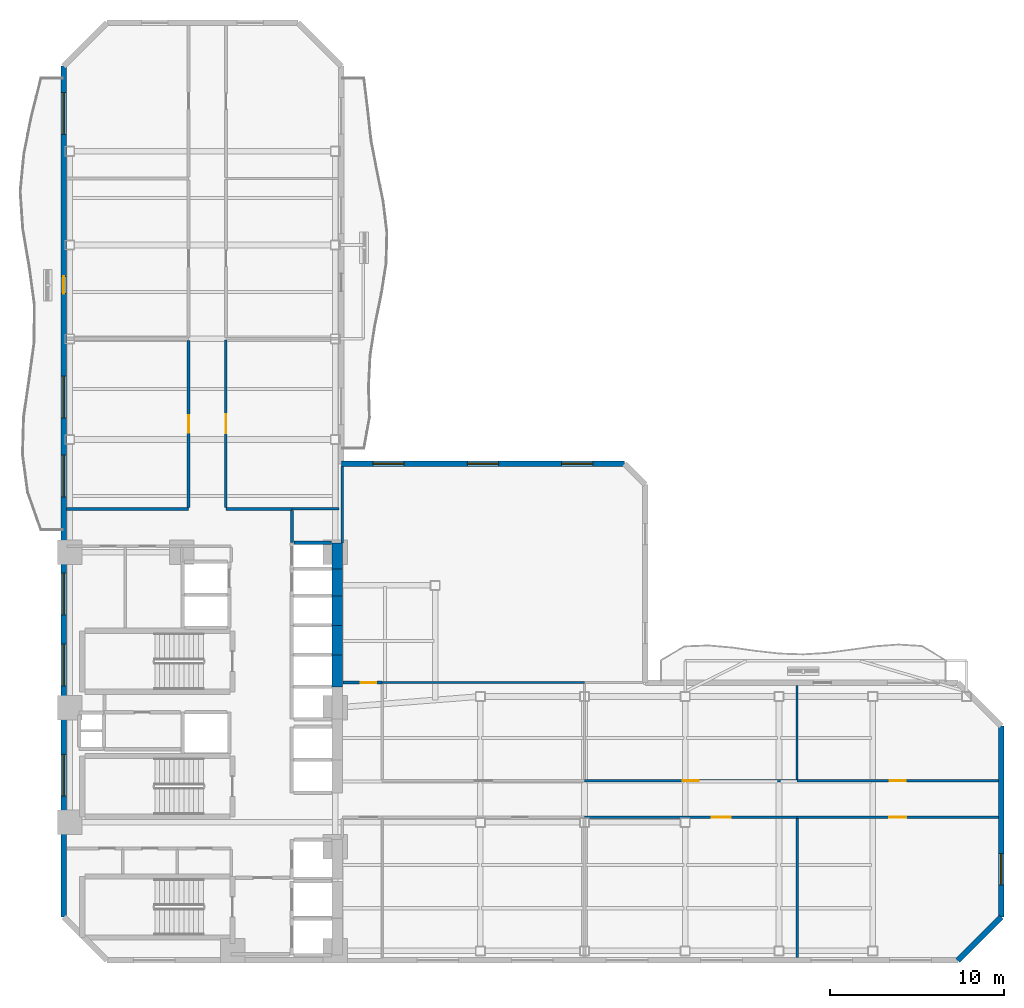
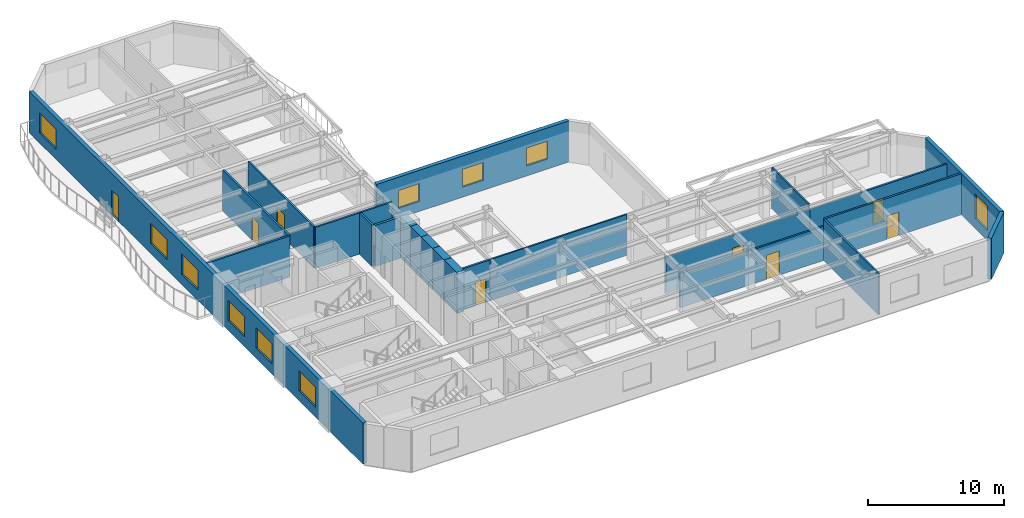
# One storey, part 5 of 10: 25 walls, 10 windows, 8 doors, 18 openings.
"""IFC4 building model written with IfcOpenShell, lengths in metres."""

import ifcopenshell
import ifcopenshell.guid

model = None  # the IFC model being written
_history = None  # IfcOwnerHistory: only IFC2X3 demands one
_inside = {}  # id of a spatial element -> (the spatial element, [elements in it])
_under = {}  # id of a project, library or spatial element -> (it, [spatial elements below it])
_declared = {}  # id of a project -> (the project, [libraries it declares])
_typed = {}  # id of a type object -> (the type object, [elements of that type])
_made_of = {}  # id of a material, layer set ... -> (it, [elements and type objects made of it])


def new_model(schema):
    """Start an empty IFC model of exactly this schema.

    Asked for "IFC4X3", IfcOpenShell would pick the latest addendum, in which some entities
    have other attributes; the version numbers below select the first issue.
    IFC2X3 requires an IfcOwnerHistory on every rooted entity: one is made here for all.
    """
    global model, _history
    if schema == "IFC4X3":
        model = ifcopenshell.file(schema_version=(4, 3, 0, 0))
    else:
        model = ifcopenshell.file(schema=schema)
    _inside.clear()
    _under.clear()
    _declared.clear()
    _typed.clear()
    _made_of.clear()
    _history = None
    if model.schema == "IFC2X3":
        org = make("IfcOrganization", Name="unknown")
        user = make(
            "IfcPersonAndOrganization",
            ThePerson=make("IfcPerson", FamilyName="unknown"),
            TheOrganization=org,
        )
        app = make(
            "IfcApplication",
            ApplicationDeveloper=org,
            Version="unknown",
            ApplicationFullName="unknown",
            ApplicationIdentifier="unknown",
        )
        _history = make(
            "IfcOwnerHistory",
            OwningUser=user,
            OwningApplication=app,
            ChangeAction="ADDED",
            CreationDate=0,
        )
    return model


def make(cls, **values):
    """One entity of the class cls with the attributes given. An attribute that is None is left unset."""
    return model.create_entity(
        cls, **{name: value for name, value in values.items() if value is not None}
    )


def rooted(cls, **values):
    """An entity with a GlobalId (a new one), such as an element, a storey or a relation."""
    return make(cls, GlobalId=ifcopenshell.guid.new(), OwnerHistory=_history, **values)


def si_unit(unit_type, name, prefix=None):
    """IfcSIUnit, for example si_unit("LENGTHUNIT", "METRE", prefix="MILLI")."""
    return make("IfcSIUnit", UnitType=unit_type, Prefix=prefix, Name=name)


def assignment(units):
    """IfcUnitAssignment: the units of a project."""
    return None if units is None else make("IfcUnitAssignment", Units=units)


def point(xyz):
    """IfcCartesianPoint."""
    return None if xyz is None else make("IfcCartesianPoint", Coordinates=xyz)


def direction(xyz):
    """IfcDirection."""
    return None if xyz is None else make("IfcDirection", DirectionRatios=xyz)


def frame(location, z_axis=None, x_axis=None):
    """IfcAxis2Placement3D, a coordinate frame: its origin and axes. An axis left out is left unset."""
    return make(
        "IfcAxis2Placement3D",
        Location=point(location),
        Axis=direction(z_axis),
        RefDirection=direction(x_axis),
    )


def frame_2d(location, x_axis=None):
    """IfcAxis2Placement2D, a coordinate frame in the plane: its origin and x axis."""
    return make(
        "IfcAxis2Placement2D", Location=point(location), RefDirection=direction(x_axis)
    )


def origin():
    """The frame at (0, 0, 0) with its axes left unset."""
    return frame((0.0, 0.0, 0.0))


def place(relative_to, where):
    """IfcLocalPlacement: puts the frame where relative to a parent placement (None: the world)."""
    return make(
        "IfcLocalPlacement", PlacementRelTo=relative_to, RelativePlacement=where
    )


def context(
    kind, dimensions, precision=None, world=None, true_north=None, identifier=None
):
    """IfcGeometricRepresentationContext, for example the 3D "Model" context."""
    return make(
        "IfcGeometricRepresentationContext",
        ContextIdentifier=identifier,
        ContextType=kind,
        CoordinateSpaceDimension=dimensions,
        Precision=precision,
        WorldCoordinateSystem=world,
        TrueNorth=true_north,
    )


def subcontext(parent, identifier, kind, view, scale=None):
    """IfcGeometricRepresentationSubContext, for example "Body" below "Model"."""
    return make(
        "IfcGeometricRepresentationSubContext",
        ContextIdentifier=identifier,
        ContextType=kind,
        ParentContext=parent,
        TargetScale=scale,
        TargetView=view,
    )


def project(units=None, contexts=None):
    """IfcProject with its units and contexts."""
    return rooted(
        "IfcProject",
        Name="project",
        RepresentationContexts=contexts,
        UnitsInContext=assignment(units),
    )


def spatial(cls, under=None, at=None, **own):
    """A site, building, storey or space (cls), placed at a placement, below another one or the project."""
    s = rooted(cls, ObjectPlacement=at, **own)
    if under is not None:
        _under.setdefault(under.id(), (under, []))[1].append(s)
    return s


def profile(cls, at=None, kind="AREA", **sizes):
    """A parametric profile (cls). Its sizes go by their IFC names, for example OverallWidth=200.0."""
    return make(cls, ProfileType=kind, Position=at, **sizes)


def rectangle(**sizes):
    """IfcRectangleProfileDef."""
    return profile("IfcRectangleProfileDef", **sizes)


def extrude(swept, where, along, depth):
    """IfcExtrudedAreaSolid: the profile swept, set in the frame where, extruded along a direction by depth."""
    return make(
        "IfcExtrudedAreaSolid",
        SweptArea=swept,
        Position=where,
        ExtrudedDirection=direction(along),
        Depth=depth,
    )


def shape(context_of_items, identifier, shape_type, items):
    """IfcShapeRepresentation: the items that make up one representation, for example the "Body"."""
    return make(
        "IfcShapeRepresentation",
        ContextOfItems=context_of_items,
        RepresentationIdentifier=identifier,
        RepresentationType=shape_type,
        Items=items,
    )


def material(Name=None, Category=None):
    """IfcMaterial."""
    return make("IfcMaterial", Name=Name, Category=Category)


def layer(
    of_material, thickness, ventilated=None, Name=None, Category=None, Priority=None
):
    """IfcMaterialLayer: one layer of a wall or slab, of a material (None: an air gap)."""
    return make(
        "IfcMaterialLayer",
        Material=of_material,
        LayerThickness=thickness,
        IsVentilated=ventilated,
        Name=Name,
        Category=Category,
        Priority=Priority,
    )


def layer_set(layers, Name=None):
    """IfcMaterialLayerSet."""
    return make("IfcMaterialLayerSet", MaterialLayers=layers, LayerSetName=Name)


def made_of(thing, what):
    """Note that an element or type object is made of a material, layer set ...; save() writes the relation."""
    if what is not None:
        _made_of.setdefault(what.id(), (what, []))[1].append(thing)
    return thing


def type_object(cls, material=None, **own):
    """A type object (cls), such as IfcWallType, which elements share."""
    return made_of(rooted(cls, **own), material)


def element(
    cls,
    number,
    at=None,
    inside=None,
    cuts=None,
    type_object=None,
    material=None,
    context=None,
    identifier="Body",
    shape_type=None,
    held_by="IfcProductDefinitionShape",
    body=None,
    shapes=None,
    **own,
):
    """One element of the class cls, such as IfcWall. Its Tag is "e" and its number.

    at: its placement. inside: the storey or other place that contains it. cuts: it is an
    opening in that element (IfcRelVoidsElement). A single representation is given by context,
    identifier, shape_type and body (its items); several are given by shapes. held_by: the class
    of the entity that holds the representations. save() writes the other relations.
    """
    e = rooted(cls, Tag="e%d" % number, ObjectPlacement=at, **own)
    if body is not None:
        shapes = [shape(context, identifier, shape_type, body)]
    if shapes is not None:
        e.Representation = make(held_by, Representations=shapes)
    if inside is not None:
        _inside.setdefault(inside.id(), (inside, []))[1].append(e)
    if cuts is not None:
        rooted(
            "IfcRelVoidsElement", RelatingBuildingElement=cuts, RelatedOpeningElement=e
        )
    if type_object is not None:
        _typed.setdefault(type_object.id(), (type_object, []))[1].append(e)
    return made_of(e, material)


def fill(opening, filler):
    """IfcRelFillsElement: the door or window that sits in an opening."""
    return rooted(
        "IfcRelFillsElement",
        RelatingOpeningElement=opening,
        RelatedBuildingElement=filler,
    )


def aggregate(whole, parts):
    """IfcRelAggregates: a whole, such as a stair, and the parts it consists of."""
    return rooted("IfcRelAggregates", RelatingObject=whole, RelatedObjects=parts)


def save(model, path):
    """Write the relations noted so far, then the file.

    IfcRelAggregates (storeys below a building ...), IfcRelContainedInSpatialStructure (elements
    in a storey), IfcRelDefinesByType, IfcRelAssociatesMaterial and IfcRelDeclares: one each for
    every whole, place, type object, material and project.
    """
    for whole, parts in _under.values():
        aggregate(whole, parts)
    for where, things in _inside.values():
        rooted(
            "IfcRelContainedInSpatialStructure",
            RelatedElements=things,
            RelatingStructure=where,
        )
    for kind, things in _typed.values():
        rooted("IfcRelDefinesByType", RelatedObjects=things, RelatingType=kind)
    for what, things in _made_of.values():
        rooted("IfcRelAssociatesMaterial", RelatedObjects=things, RelatingMaterial=what)
    for by, libraries in _declared.values():
        rooted("IfcRelDeclares", RelatingContext=by, RelatedDefinitions=libraries)
    model.write(path)


model = new_model("IFC4")

# Units and contexts
model_context = context("Model", 3, precision=1e-05, world=origin(), true_north=direction((0.0, 1.0)))
body_context = subcontext(model_context, "Body", "Model", "MODEL_VIEW")
ifc_project = project(units=[si_unit("LENGTHUNIT", "METRE"), si_unit("AREAUNIT", "SQUARE_METRE"), si_unit("VOLUMEUNIT", "CUBIC_METRE"), si_unit("PLANEANGLEUNIT", "RADIAN"), si_unit("MASSUNIT", "GRAM", prefix="KILO")], contexts=[model_context])

# Site, building, storey
site_placement = place(None, origin())
site = spatial("IfcSite", under=ifc_project, at=site_placement, CompositionType="ELEMENT")
building_placement = place(site_placement, origin())
building = spatial("IfcBuilding", under=site, at=building_placement, Name="Mawjaban Terraces University", CompositionType="ELEMENT")
storey_placement = place(building_placement, frame((0.0, 0.0, 34.89990234375)))
storey = spatial("IfcBuildingStorey", under=building, at=storey_placement, Name="L07", CompositionType="ELEMENT", Elevation=34.89990234375)

# Walls
ifc_material_1 = material(Name="Concrete C70/85", Category="concrete")
ifc_layer_1 = layer(ifc_material_1, 0.60009765625)
ifc_layer_set_1 = layer_set([ifc_layer_1], Name="Concrete C70/85")
wall_type_1 = type_object("IfcWallType", Name="CoreShearWall_600", PredefinedType="SHEAR", material=ifc_layer_set_1)
wall_1_placement = place(storey_placement, frame((37.75, 15.75, 0.0), z_axis=(0.0, 0.0, 1.0), x_axis=(0.0, 1.0, 0.0)))
element("IfcWall", 1, at=wall_1_placement, inside=storey, type_object=wall_type_1, Name="L07 Lift OL-2 Hoistway Wall East", PredefinedType="SHEAR", context=body_context, shape_type="SweptSolid", body=[
    extrude(rectangle(XDim=1.85009765625, YDim=0.60009765625, at=frame_2d((0.925048828125, 0.0))), origin(), (0.0, 0.0, 1.0), 3.690185546875),
])
for number, where, z_axis, x_axis, name in (
    (2, (37.75, 17.60009765625, 0.0), (0.0, 0.0, 1.0), (0.0, 1.0, 0.0), "L07 Lift PL-M1 Hoistway Wall East"),
    (3, (37.75, 19.300048828125, 0.0), (0.0, 0.0, 1.0), (0.0, 1.0, 0.0), "L07 Lift PL-M2 Hoistway Wall East"),
):
    element("IfcWall", number, at=place(storey_placement, frame(where, z_axis=z_axis, x_axis=x_axis)), inside=storey, type_object=wall_type_1, Name=name, PredefinedType="SHEAR", context=body_context, shape_type="SweptSolid", body=[
        extrude(rectangle(XDim=1.699951171875, YDim=0.60009765625, at=frame_2d((0.85009765625, 0.0))), origin(), (0.0, 0.0, 1.0), 3.690185546875),
    ])
wall_2_placement = place(storey_placement, frame((37.75, 21.0, 0.0), z_axis=(0.0, 0.0, 1.0), x_axis=(0.0, 1.0, 0.0)))
element("IfcWall", 4, at=wall_2_placement, inside=storey, type_object=wall_type_1, Name="L07 Lift PL-L1 Hoistway Wall East", PredefinedType="SHEAR", context=body_context, shape_type="SweptSolid", body=[
    extrude(rectangle(XDim=1.550048828125, YDim=0.60009765625, at=frame_2d((0.77490234375, 0.0))), origin(), (0.0, 0.0, 1.0), 3.690185546875),
])
wall_3_placement = place(storey_placement, frame((37.75, 22.550048828125, 0.0), z_axis=(0.0, 0.0, 1.0), x_axis=(0.0, 1.0, 0.0)))
element("IfcWall", 5, at=wall_3_placement, inside=storey, type_object=wall_type_1, Name="L07 Lift PL-L2 Hoistway Wall East", PredefinedType="SHEAR", context=body_context, shape_type="SweptSolid", body=[
    extrude(rectangle(XDim=1.5, YDim=0.60009765625, at=frame_2d((0.75, 0.0))), origin(), (0.0, 0.0, 1.0), 3.690185546875),
])
ifc_material_2 = material(Name="Fire-rated gypsum board on steel stud", Category="steel")
ifc_layer_2 = layer(ifc_material_2, 0.159912109375)
ifc_layer_set_2 = layer_set([ifc_layer_2], Name="Fire-rated gypsum board on steel stud")
wall_type_2 = type_object("IfcWallType", Name="CorridorPartition_160", PredefinedType="PARTITIONING", material=ifc_layer_set_2)
wall_4_placement = place(storey_placement, frame((29.199951171875, 26.0, 0.0), z_axis=(0.0, 0.0, 1.0), x_axis=(-1.0, 0.0, 0.0)))
element("IfcWall", 6, at=wall_4_placement, inside=storey, type_object=wall_type_2, Name="L07 North Core Cross-Corridor Partition 9", PredefinedType="PARTITIONING", context=body_context, shape_type="SweptSolid", body=[
    extrude(rectangle(XDim=7.044921875, YDim=0.159912109375, at=frame_2d((3.5224609375, 0.0))), origin(), (0.0, 0.0, 1.0), 3.690185546875),
])
wall_5_placement = place(storey_placement, frame((35.14990234375, 26.0, 0.0), z_axis=(0.0, 0.0, 1.0), x_axis=(-1.0, 0.0, 0.0)))
element("IfcWall", 7, at=wall_5_placement, inside=storey, type_object=wall_type_2, Name="L07 North Core Cross-Corridor Partition 14", PredefinedType="PARTITIONING", context=body_context, shape_type="SweptSolid", body=[
    extrude(rectangle(XDim=3.7998046875, YDim=0.159912109375, at=frame_2d((1.89990234375, 0.0))), origin(), (0.0, 0.0, 1.0), 3.690185546875),
])

# Wall, opening, door
wall_6_placement = place(storey_placement, frame((40.35009765625, 16.0, 0.0), z_axis=(0.0, 0.0, 1.0), x_axis=(-1.0, 0.0, 0.0)))
wall_6 = element("IfcWall", 8, at=wall_6_placement, inside=storey, type_object=wall_type_2, Name="L07 East Academic Corridor Vestibule Partition 20", PredefinedType="PARTITIONING", context=body_context, shape_type="SweptSolid", body=[
    extrude(rectangle(XDim=2.27001953125, YDim=0.159912109375, at=frame_2d((1.135009765625, 0.0))), origin(), (0.0, 0.0, 1.0), 3.690185546875),
])
opening_1_placement = place(wall_6_placement, frame((0.3349609375, 0.0, 0.0)))
opening_1 = element("IfcOpeningElement", 9, at=opening_1_placement, cuts=wall_6, Name="Opening ID-090", PredefinedType="OPENING", context=body_context, shape_type="SweptSolid", body=[
    extrude(rectangle(XDim=0.89990234375, YDim=2.10009765625, at=frame_2d((0.449951171875, 1.050048828125))), frame((0.0, 0.08984375, 0.0), z_axis=(0.0, -1.0, 0.0), x_axis=(1.0, 0.0, 0.0)), (0.0, 0.0, 1.0), 0.179931640625),
])
ifc_material_3 = material(Name="Powder-coated steel frame and solid acoustic timber leaf", Category="steel")
door_type_1 = type_object("IfcDoorType", Name="OfficeDoor_900x2100", OperationType="NOTDEFINED", PredefinedType="DOOR", material=ifc_material_3)
door_1_placement = place(opening_1_placement, origin())
door_1 = element("IfcDoor", 10, at=door_1_placement, inside=storey, type_object=door_type_1, Name="L07 Terrace Collaborative Study Room Door", OperationType="SINGLE_SWING_LEFT", OverallHeight=2.10009765625, OverallWidth=0.89990234375, PredefinedType="DOOR", context=body_context, shape_type="SweptSolid", body=[
    extrude(rectangle(XDim=0.89990234375, YDim=2.10009765625, at=frame_2d((0.449951171875, 1.050048828125))), frame((0.0, 0.02490234375, 0.0), z_axis=(0.0, -1.0, 0.0), x_axis=(1.0, 0.0, 0.0)), (0.0, 0.0, 1.0), 0.050048828125),
])
fill(opening_1, door_1)

wall_7_placement = place(storey_placement, frame((64.239990234375, 8.25, 0.0), z_axis=(0.0, 0.0, 1.0), x_axis=(1.0, 0.0, 0.0)))
wall_7 = element("IfcWall", 11, at=wall_7_placement, inside=storey, type_object=wall_type_2, Name="L07 East Academic Spine Corridor Partition 25", PredefinedType="PARTITIONING", context=body_context, shape_type="SweptSolid", body=[
    extrude(rectangle(XDim=11.60498046875, YDim=0.159912109375, at=frame_2d((5.802490234375, 0.0))), origin(), (0.0, 0.0, 1.0), 3.690185546875),
])
opening_2_placement = place(wall_7_placement, frame((5.302978515625, 0.0, 0.0)))
opening_2 = element("IfcOpeningElement", 12, at=opening_2_placement, cuts=wall_7, Name="Opening ID-100", PredefinedType="OPENING", context=body_context, shape_type="SweptSolid", body=[
    extrude(rectangle(XDim=1.0, YDim=2.10009765625, at=frame_2d((0.5, 1.050048828125))), frame((0.0, 0.08984375, 0.0), z_axis=(0.0, -1.0, 0.0), x_axis=(1.0, 0.0, 0.0)), (0.0, 0.0, 1.0), 0.179931640625),
])
door_type_2 = type_object("IfcDoorType", Name="ClassroomDoor_1000x2100", OperationType="NOTDEFINED", PredefinedType="DOOR", material=ifc_material_3)
door_2_placement = place(opening_2_placement, origin())
door_2 = element("IfcDoor", 13, at=door_2_placement, inside=storey, type_object=door_type_2, Name="L07 Classroom 6 Door", OperationType="SINGLE_SWING_LEFT", OverallHeight=2.10009765625, OverallWidth=1.0, PredefinedType="DOOR", context=body_context, shape_type="SweptSolid", body=[
    extrude(rectangle(XDim=1.0, YDim=2.10009765625, at=frame_2d((0.5, 1.050048828125))), frame((0.0, 0.02490234375, 0.0), z_axis=(0.0, -1.0, 0.0), x_axis=(1.0, 0.0, 0.0)), (0.0, 0.0, 1.0), 0.050048828125),
])
fill(opening_2, door_2)

wall_8_placement = place(storey_placement, frame((64.239990234375, 10.35009765625, 0.0), z_axis=(0.0, 0.0, 1.0), x_axis=(-1.0, 0.0, 0.0)))
wall_8 = element("IfcWall", 14, at=wall_8_placement, inside=storey, type_object=wall_type_2, Name="L07 East Academic Spine Corridor Partition 26", PredefinedType="PARTITIONING", context=body_context, shape_type="SweptSolid", body=[
    extrude(rectangle(XDim=12.239990234375, YDim=0.159912109375, at=frame_2d((6.1201171875, 0.0))), origin(), (0.0, 0.0, 1.0), 3.277099609375),
])
opening_3_placement = place(wall_8_placement, frame((5.669921875, 0.0, 0.0)))
opening_3 = element("IfcOpeningElement", 15, at=opening_3_placement, cuts=wall_8, Name="Opening ID-090", PredefinedType="OPENING", context=body_context, shape_type="SweptSolid", body=[
    extrude(rectangle(XDim=0.89990234375, YDim=2.10009765625, at=frame_2d((0.449951171875, 1.050048828125))), frame((0.0, 0.08984375, 0.0), z_axis=(0.0, -1.0, 0.0), x_axis=(1.0, 0.0, 0.0)), (0.0, 0.0, 1.0), 0.179931640625),
])
door_3_placement = place(opening_3_placement, origin())
door_3 = element("IfcDoor", 16, at=door_3_placement, inside=storey, type_object=door_type_1, Name="L07 Seminar Room 5 Door", OperationType="SINGLE_SWING_RIGHT", OverallHeight=2.10009765625, OverallWidth=0.89990234375, PredefinedType="DOOR", context=body_context, shape_type="SweptSolid", body=[
    extrude(rectangle(XDim=0.89990234375, YDim=2.10009765625, at=frame_2d((0.449951171875, 1.050048828125))), frame((0.0, 0.02490234375, 0.0), z_axis=(0.0, -1.0, 0.0), x_axis=(1.0, 0.0, 0.0)), (0.0, 0.0, 1.0), 0.050048828125),
])
fill(opening_3, door_3)

wall_9_placement = place(storey_placement, frame((75.844970703125, 10.35009765625, 0.0), z_axis=(0.0, 0.0, 1.0), x_axis=(-1.0, 0.0, 0.0)))
wall_9 = element("IfcWall", 17, at=wall_9_placement, inside=storey, type_object=wall_type_2, Name="L07 East Academic Spine Corridor Partition 27", PredefinedType="PARTITIONING", context=body_context, shape_type="SweptSolid", body=[
    extrude(rectangle(XDim=11.60498046875, YDim=0.159912109375, at=frame_2d((5.802490234375, 0.0))), origin(), (0.0, 0.0, 1.0), 3.277099609375),
])
opening_4_placement = place(wall_9_placement, frame((5.35302734375, 0.0, 0.0)))
opening_4 = element("IfcOpeningElement", 18, at=opening_4_placement, cuts=wall_9, Name="Opening ID-090", PredefinedType="OPENING", context=body_context, shape_type="SweptSolid", body=[
    extrude(rectangle(XDim=0.89990234375, YDim=2.10009765625, at=frame_2d((0.449951171875, 1.050048828125))), frame((0.0, 0.08984375, 0.0), z_axis=(0.0, -1.0, 0.0), x_axis=(1.0, 0.0, 0.0)), (0.0, 0.0, 1.0), 0.179931640625),
])
door_4_placement = place(opening_4_placement, origin())
door_4 = element("IfcDoor", 19, at=door_4_placement, inside=storey, type_object=door_type_1, Name="L07 Faculty Office 7 Door", OperationType="SINGLE_SWING_RIGHT", OverallHeight=2.10009765625, OverallWidth=0.89990234375, PredefinedType="DOOR", context=body_context, shape_type="SweptSolid", body=[
    extrude(rectangle(XDim=0.89990234375, YDim=2.10009765625, at=frame_2d((0.449951171875, 1.050048828125))), frame((0.0, 0.02490234375, 0.0), z_axis=(0.0, -1.0, 0.0), x_axis=(1.0, 0.0, 0.0)), (0.0, 0.0, 1.0), 0.050048828125),
])
fill(opening_4, door_4)

wall_10_placement = place(storey_placement, frame((29.199951171875, 35.715087890625, 0.0), z_axis=(0.0, 0.0, 1.0), x_axis=(0.0, -1.0, 0.0)))
wall_10 = element("IfcWall", 20, at=wall_10_placement, inside=storey, type_object=wall_type_2, Name="L07 North Academic Spine Corridor Partition 33", PredefinedType="PARTITIONING", context=body_context, shape_type="SweptSolid", body=[
    extrude(rectangle(XDim=9.64013671875, YDim=0.159912109375, at=frame_2d((4.820068359375, 0.0))), origin(), (0.0, 0.0, 1.0), 3.690185546875),
])
opening_5_placement = place(wall_10_placement, frame((4.320068359375, 0.0, 0.0)))
opening_5 = element("IfcOpeningElement", 21, at=opening_5_placement, cuts=wall_10, Name="Opening ID-100", PredefinedType="OPENING", context=body_context, shape_type="SweptSolid", body=[
    extrude(rectangle(XDim=1.0, YDim=2.10009765625, at=frame_2d((0.5, 1.050048828125))), frame((0.0, 0.08984375, 0.0), z_axis=(0.0, -1.0, 0.0), x_axis=(1.0, 0.0, 0.0)), (0.0, 0.0, 1.0), 0.179931640625),
])
door_5_placement = place(opening_5_placement, origin())
door_5 = element("IfcDoor", 22, at=door_5_placement, inside=storey, type_object=door_type_2, Name="L07 Classroom 8 Door", OperationType="SINGLE_SWING_LEFT", OverallHeight=2.10009765625, OverallWidth=1.0, PredefinedType="DOOR", context=body_context, shape_type="SweptSolid", body=[
    extrude(rectangle(XDim=1.0, YDim=2.10009765625, at=frame_2d((0.5, 1.050048828125))), frame((0.0, 0.02490234375, 0.0), z_axis=(0.0, -1.0, 0.0), x_axis=(1.0, 0.0, 0.0)), (0.0, 0.0, 1.0), 0.050048828125),
])
fill(opening_5, door_5)

# Walls
wall_11_placement = place(storey_placement, frame((35.14990234375, 24.070068359375, 0.0), z_axis=(0.0, 0.0, 1.0), x_axis=(0.0, 1.0, 0.0)))
element("IfcWall", 23, at=wall_11_placement, inside=storey, type_object=wall_type_2, Name="L07 North Core Cross-Corridor Partition 41", PredefinedType="PARTITIONING", context=body_context, shape_type="SweptSolid", body=[
    extrude(rectangle(XDim=1.85498046875, YDim=0.159912109375, at=frame_2d((0.927490234375, 0.0))), origin(), (0.0, 0.0, 1.0), 3.690185546875),
])
ifc_material_4 = material(Name="Insulated terracotta rainscreen on concrete backup C40/50", Category="masonry")
ifc_layer_3 = layer(ifc_material_4, 0.320068359375)
ifc_layer_set_3 = layer_set([ifc_layer_3], Name="Insulated terracotta rainscreen on concrete backup C40/50")
wall_type_3 = type_object("IfcWallType", Name="ExtTerracottaWall_320", PredefinedType="SOLIDWALL", material=ifc_layer_set_3)
wall_12_placement = place(storey_placement, frame((73.5, 0.0, 0.0), z_axis=(0.0, 0.0, 1.0), x_axis=(0.707106781187, 0.707106781187, 0.0)))
element("IfcWall", 24, at=wall_12_placement, inside=storey, type_object=wall_type_3, Name="L07 Exterior Terracotta Wall 2", PredefinedType="SOLIDWALL", context=body_context, shape_type="SweptSolid", body=[
    extrude(rectangle(XDim=3.53564453125, YDim=0.320068359375, at=frame_2d((1.767822265625, 0.0))), origin(), (0.0, 0.0, 1.0), 3.690185546875),
])

# Wall, opening, window
wall_13_placement = place(storey_placement, frame((76.0, 2.5, 0.0), z_axis=(0.0, 0.0, 1.0), x_axis=(0.0, 1.0, 0.0)))
wall_13 = element("IfcWall", 25, at=wall_13_placement, inside=storey, type_object=wall_type_3, Name="L07 Exterior Terracotta Wall 3", PredefinedType="SOLIDWALL", context=body_context, shape_type="SweptSolid", body=[
    extrude(rectangle(XDim=11.0, YDim=0.320068359375, at=frame_2d((5.5, 0.0))), origin(), (0.0, 0.0, 1.0), 3.690185546875),
])
opening_6_placement = place(wall_13_placement, frame((1.85009765625, 0.0, 0.89990234375)))
opening_6 = element("IfcOpeningElement", 26, at=opening_6_placement, cuts=wall_13, Name="Opening W-10", PredefinedType="OPENING", context=body_context, shape_type="SweptSolid", body=[
    extrude(rectangle(XDim=1.800048828125, YDim=2.199951171875, at=frame_2d((0.89990234375, 1.10009765625))), frame((0.0, 0.169921875, 0.0), z_axis=(0.0, -1.0, 0.0), x_axis=(1.0, 0.0, 0.0)), (0.0, 0.0, 1.0), 0.340087890625),
])
ifc_material_5 = material(Name="Low-E solar-control double glazing in thermally broken aluminium frame", Category="aluminium")
window_type_1 = type_object("IfcWindowType", Name="Win_1800x2200", PartitioningType="SINGLE_PANEL", PredefinedType="WINDOW", material=ifc_material_5)
window_1_placement = place(opening_6_placement, origin())
window_1 = element("IfcWindow", 27, at=window_1_placement, inside=storey, type_object=window_type_1, Name="L07 Facade Window 3.1", OverallHeight=2.199951171875, OverallWidth=1.800048828125, PartitioningType="SINGLE_PANEL", PredefinedType="WINDOW", context=body_context, shape_type="SweptSolid", body=[
    extrude(rectangle(XDim=1.800048828125, YDim=2.199951171875, at=frame_2d((0.89990234375, 1.10009765625))), frame((0.0, 0.030029296875, 0.0), z_axis=(0.0, -1.0, 0.0), x_axis=(1.0, 0.0, 0.0)), (0.0, 0.0, 1.0), 0.06005859375),
])
fill(opening_6, window_1)

# Wall, openings, windows
wall_14_placement = place(storey_placement, frame((54.300048828125, 28.60009765625, 0.0), z_axis=(0.0, 0.0, 1.0), x_axis=(-1.0, 0.0, 0.0)))
wall_14 = element("IfcWall", 28, at=wall_14_placement, inside=storey, type_object=wall_type_3, Name="L07 Exterior Terracotta Wall 8", PredefinedType="SOLIDWALL", context=body_context, shape_type="SweptSolid", body=[
    extrude(rectangle(XDim=16.300048828125, YDim=0.320068359375, at=frame_2d((8.14990234375, 0.0))), origin(), (0.0, 0.0, 1.0), 3.690185546875),
])
opening_7_placement = place(wall_14_placement, frame((1.81689453125, 0.0, 0.89990234375)))
opening_7 = element("IfcOpeningElement", 29, at=opening_7_placement, cuts=wall_14, Name="Opening W-03", PredefinedType="OPENING", context=body_context, shape_type="SweptSolid", body=[
    extrude(rectangle(XDim=1.800048828125, YDim=1.60009765625, at=frame_2d((0.89990234375, 0.800048828125))), frame((0.0, 0.169921875, 0.0), z_axis=(0.0, -1.0, 0.0), x_axis=(1.0, 0.0, 0.0)), (0.0, 0.0, 1.0), 0.340087890625),
])
opening_8_placement = place(wall_14_placement, frame((7.25, 0.0, 0.89990234375)))
opening_8 = element("IfcOpeningElement", 30, at=opening_8_placement, cuts=wall_14, Name="Opening W-03", PredefinedType="OPENING", context=body_context, shape_type="SweptSolid", body=[
    extrude(rectangle(XDim=1.800048828125, YDim=1.60009765625, at=frame_2d((0.89990234375, 0.800048828125))), frame((0.0, 0.169921875, 0.0), z_axis=(0.0, -1.0, 0.0), x_axis=(1.0, 0.0, 0.0)), (0.0, 0.0, 1.0), 0.340087890625),
])
opening_9_placement = place(wall_14_placement, frame((12.68310546875, 0.0, 0.89990234375)))
opening_9 = element("IfcOpeningElement", 31, at=opening_9_placement, cuts=wall_14, Name="Opening W-03", PredefinedType="OPENING", context=body_context, shape_type="SweptSolid", body=[
    extrude(rectangle(XDim=1.800048828125, YDim=1.60009765625, at=frame_2d((0.89990234375, 0.800048828125))), frame((0.0, 0.169921875, 0.0), z_axis=(0.0, -1.0, 0.0), x_axis=(1.0, 0.0, 0.0)), (0.0, 0.0, 1.0), 0.340087890625),
])
window_type_2 = type_object("IfcWindowType", Name="Win_1800x1600", PartitioningType="SINGLE_PANEL", PredefinedType="WINDOW", material=ifc_material_5)
window_2_placement = place(opening_7_placement, origin())
window_2 = element("IfcWindow", 32, at=window_2_placement, inside=storey, type_object=window_type_2, Name="L07 Facade Window 8.1", OverallHeight=1.60009765625, OverallWidth=1.800048828125, PartitioningType="SINGLE_PANEL", PredefinedType="WINDOW", context=body_context, shape_type="SweptSolid", body=[
    extrude(rectangle(XDim=1.800048828125, YDim=1.60009765625, at=frame_2d((0.89990234375, 0.800048828125))), frame((0.0, 0.030029296875, 0.0), z_axis=(0.0, -1.0, 0.0), x_axis=(1.0, 0.0, 0.0)), (0.0, 0.0, 1.0), 0.06005859375),
])
fill(opening_7, window_2)
window_3_placement = place(opening_8_placement, origin())
window_3 = element("IfcWindow", 33, at=window_3_placement, inside=storey, type_object=window_type_2, Name="L07 Facade Window 8.2", OverallHeight=1.60009765625, OverallWidth=1.800048828125, PartitioningType="SINGLE_PANEL", PredefinedType="WINDOW", context=body_context, shape_type="SweptSolid", body=[
    extrude(rectangle(XDim=1.800048828125, YDim=1.60009765625, at=frame_2d((0.89990234375, 0.800048828125))), frame((0.0, 0.030029296875, 0.0), z_axis=(0.0, -1.0, 0.0), x_axis=(1.0, 0.0, 0.0)), (0.0, 0.0, 1.0), 0.06005859375),
])
fill(opening_8, window_3)
window_4_placement = place(opening_9_placement, origin())
window_4 = element("IfcWindow", 34, at=window_4_placement, inside=storey, type_object=window_type_2, Name="L07 Facade Window 8.3", OverallHeight=1.60009765625, OverallWidth=1.800048828125, PartitioningType="SINGLE_PANEL", PredefinedType="WINDOW", context=body_context, shape_type="SweptSolid", body=[
    extrude(rectangle(XDim=1.800048828125, YDim=1.60009765625, at=frame_2d((0.89990234375, 0.800048828125))), frame((0.0, 0.030029296875, 0.0), z_axis=(0.0, -1.0, 0.0), x_axis=(1.0, 0.0, 0.0)), (0.0, 0.0, 1.0), 0.06005859375),
])
fill(opening_9, window_4)

# Wall, openings, door, windows
wall_15_placement = place(storey_placement, frame((22.0, 51.5, 0.0), z_axis=(0.0, 0.0, 1.0), x_axis=(0.0, -1.0, 0.0)))
wall_15 = element("IfcWall", 35, at=wall_15_placement, inside=storey, type_object=wall_type_3, Name="L07 Exterior Terracotta Wall 13", PredefinedType="SOLIDWALL", context=body_context, shape_type="SweptSolid", body=[
    extrude(rectangle(XDim=49.0, YDim=0.320068359375, at=frame_2d((24.5, 0.0))), origin(), (0.0, 0.0, 1.0), 3.690185546875),
])
opening_10_placement = place(wall_15_placement, frame((12.10009765625, 0.0, 0.0)))
opening_10 = element("IfcOpeningElement", 36, at=opening_10_placement, cuts=wall_15, Name="Opening BD-100", PredefinedType="OPENING", context=body_context, shape_type="SweptSolid", body=[
    extrude(rectangle(XDim=1.0, YDim=2.199951171875, at=frame_2d((0.5, 1.10009765625))), frame((0.0, 0.169921875, 0.0), z_axis=(0.0, -1.0, 0.0), x_axis=(1.0, 0.0, 0.0)), (0.0, 0.0, 1.0), 0.340087890625),
])
opening_11_placement = place(wall_15_placement, frame((1.52197265625, 0.0, 0.89990234375)))
opening_11 = element("IfcOpeningElement", 37, at=opening_11_placement, cuts=wall_15, Name="Opening W-08", PredefinedType="OPENING", context=body_context, shape_type="SweptSolid", body=[
    extrude(rectangle(XDim=2.39990234375, YDim=1.800048828125, at=frame_2d((1.199951171875, 0.89990234375))), frame((0.0, 0.169921875, 0.0), z_axis=(0.0, -1.0, 0.0), x_axis=(1.0, 0.0, 0.0)), (0.0, 0.0, 1.0), 0.340087890625),
])
opening_12_placement = place(wall_15_placement, frame((17.85595703125, 0.0, 0.89990234375)))
opening_12 = element("IfcOpeningElement", 38, at=opening_12_placement, cuts=wall_15, Name="Opening W-08", PredefinedType="OPENING", context=body_context, shape_type="SweptSolid", body=[
    extrude(rectangle(XDim=2.39990234375, YDim=1.800048828125, at=frame_2d((1.199951171875, 0.89990234375))), frame((0.0, 0.169921875, 0.0), z_axis=(0.0, -1.0, 0.0), x_axis=(1.0, 0.0, 0.0)), (0.0, 0.0, 1.0), 0.340087890625),
])
opening_13_placement = place(wall_15_placement, frame((22.39990234375, 0.0, 0.89990234375)))
opening_13 = element("IfcOpeningElement", 39, at=opening_13_placement, cuts=wall_15, Name="Opening W-08", PredefinedType="OPENING", context=body_context, shape_type="SweptSolid", body=[
    extrude(rectangle(XDim=2.39990234375, YDim=1.800048828125, at=frame_2d((1.199951171875, 0.89990234375))), frame((0.0, 0.169921875, 0.0), z_axis=(0.0, -1.0, 0.0), x_axis=(1.0, 0.0, 0.0)), (0.0, 0.0, 1.0), 0.340087890625),
])
opening_14_placement = place(wall_15_placement, frame((29.194091796875, 0.0, 0.89990234375)))
opening_14 = element("IfcOpeningElement", 40, at=opening_14_placement, cuts=wall_15, Name="Opening W-08", PredefinedType="OPENING", context=body_context, shape_type="SweptSolid", body=[
    extrude(rectangle(XDim=2.39990234375, YDim=1.800048828125, at=frame_2d((1.199951171875, 0.89990234375))), frame((0.0, 0.169921875, 0.0), z_axis=(0.0, -1.0, 0.0), x_axis=(1.0, 0.0, 0.0)), (0.0, 0.0, 1.0), 0.340087890625),
])
opening_15_placement = place(wall_15_placement, frame((33.2890625, 0.0, 0.89990234375)))
opening_15 = element("IfcOpeningElement", 41, at=opening_15_placement, cuts=wall_15, Name="Opening W-08", PredefinedType="OPENING", context=body_context, shape_type="SweptSolid", body=[
    extrude(rectangle(XDim=2.39990234375, YDim=1.800048828125, at=frame_2d((1.199951171875, 0.89990234375))), frame((0.0, 0.169921875, 0.0), z_axis=(0.0, -1.0, 0.0), x_axis=(1.0, 0.0, 0.0)), (0.0, 0.0, 1.0), 0.340087890625),
])
opening_16_placement = place(wall_15_placement, frame((39.633056640625, 0.0, 0.89990234375)))
opening_16 = element("IfcOpeningElement", 42, at=opening_16_placement, cuts=wall_15, Name="Opening W-08", PredefinedType="OPENING", context=body_context, shape_type="SweptSolid", body=[
    extrude(rectangle(XDim=2.39990234375, YDim=1.800048828125, at=frame_2d((1.199951171875, 0.89990234375))), frame((0.0, 0.169921875, 0.0), z_axis=(0.0, -1.0, 0.0), x_axis=(1.0, 0.0, 0.0)), (0.0, 0.0, 1.0), 0.340087890625),
])
ifc_material_6 = material(Name="Thermally broken anodised aluminium and laminated safety glass", Category="aluminium")
door_type_3 = type_object("IfcDoorType", Name="BalconyGlazedDoor_1000x2200", OperationType="NOTDEFINED", PredefinedType="DOOR", material=ifc_material_6)
door_6_placement = place(opening_10_placement, origin())
door_6 = element("IfcDoor", 43, at=door_6_placement, inside=storey, type_object=door_type_3, Name="L07 Balcony Access Door west", OperationType="SINGLE_SWING_RIGHT", OverallHeight=2.199951171875, OverallWidth=1.0, PredefinedType="DOOR", context=body_context, shape_type="SweptSolid", body=[
    extrude(rectangle(XDim=1.0, YDim=2.199951171875, at=frame_2d((0.5, 1.10009765625))), frame((0.0, 0.02490234375, 0.0), z_axis=(0.0, -1.0, 0.0), x_axis=(1.0, 0.0, 0.0)), (0.0, 0.0, 1.0), 0.050048828125),
])
fill(opening_10, door_6)
window_type_3 = type_object("IfcWindowType", Name="Win_2400x1800", PartitioningType="SINGLE_PANEL", PredefinedType="WINDOW", material=ifc_material_5)
window_5_placement = place(opening_11_placement, origin())
window_5 = element("IfcWindow", 44, at=window_5_placement, inside=storey, type_object=window_type_3, Name="L07 Facade Window 13.1", OverallHeight=1.800048828125, OverallWidth=2.39990234375, PartitioningType="SINGLE_PANEL", PredefinedType="WINDOW", context=body_context, shape_type="SweptSolid", body=[
    extrude(rectangle(XDim=2.39990234375, YDim=1.800048828125, at=frame_2d((1.199951171875, 0.89990234375))), frame((0.0, 0.030029296875, 0.0), z_axis=(0.0, -1.0, 0.0), x_axis=(1.0, 0.0, 0.0)), (0.0, 0.0, 1.0), 0.06005859375),
])
fill(opening_11, window_5)
window_6_placement = place(opening_12_placement, origin())
window_6 = element("IfcWindow", 45, at=window_6_placement, inside=storey, type_object=window_type_3, Name="L07 Facade Window 13.4", OverallHeight=1.800048828125, OverallWidth=2.39990234375, PartitioningType="SINGLE_PANEL", PredefinedType="WINDOW", context=body_context, shape_type="SweptSolid", body=[
    extrude(rectangle(XDim=2.39990234375, YDim=1.800048828125, at=frame_2d((1.199951171875, 0.89990234375))), frame((0.0, 0.030029296875, 0.0), z_axis=(0.0, -1.0, 0.0), x_axis=(1.0, 0.0, 0.0)), (0.0, 0.0, 1.0), 0.06005859375),
])
fill(opening_12, window_6)
window_7_placement = place(opening_13_placement, origin())
window_7 = element("IfcWindow", 46, at=window_7_placement, inside=storey, type_object=window_type_3, Name="L07 Facade Window 13.5", OverallHeight=1.800048828125, OverallWidth=2.39990234375, PartitioningType="SINGLE_PANEL", PredefinedType="WINDOW", context=body_context, shape_type="SweptSolid", body=[
    extrude(rectangle(XDim=2.39990234375, YDim=1.800048828125, at=frame_2d((1.199951171875, 0.89990234375))), frame((0.0, 0.030029296875, 0.0), z_axis=(0.0, -1.0, 0.0), x_axis=(1.0, 0.0, 0.0)), (0.0, 0.0, 1.0), 0.06005859375),
])
fill(opening_13, window_7)
window_8_placement = place(opening_14_placement, origin())
window_8 = element("IfcWindow", 47, at=window_8_placement, inside=storey, type_object=window_type_3, Name="L07 Facade Window 13.6", OverallHeight=1.800048828125, OverallWidth=2.39990234375, PartitioningType="SINGLE_PANEL", PredefinedType="WINDOW", context=body_context, shape_type="SweptSolid", body=[
    extrude(rectangle(XDim=2.39990234375, YDim=1.800048828125, at=frame_2d((1.199951171875, 0.89990234375))), frame((0.0, 0.030029296875, 0.0), z_axis=(0.0, -1.0, 0.0), x_axis=(1.0, 0.0, 0.0)), (0.0, 0.0, 1.0), 0.06005859375),
])
fill(opening_14, window_8)
window_9_placement = place(opening_15_placement, origin())
window_9 = element("IfcWindow", 48, at=window_9_placement, inside=storey, type_object=window_type_3, Name="L07 Facade Window 13.7", OverallHeight=1.800048828125, OverallWidth=2.39990234375, PartitioningType="SINGLE_PANEL", PredefinedType="WINDOW", context=body_context, shape_type="SweptSolid", body=[
    extrude(rectangle(XDim=2.39990234375, YDim=1.800048828125, at=frame_2d((1.199951171875, 0.89990234375))), frame((0.0, 0.030029296875, 0.0), z_axis=(0.0, -1.0, 0.0), x_axis=(1.0, 0.0, 0.0)), (0.0, 0.0, 1.0), 0.06005859375),
])
fill(opening_15, window_9)
window_10_placement = place(opening_16_placement, origin())
window_10 = element("IfcWindow", 49, at=window_10_placement, inside=storey, type_object=window_type_3, Name="L07 Facade Window 13.8", OverallHeight=1.800048828125, OverallWidth=2.39990234375, PartitioningType="SINGLE_PANEL", PredefinedType="WINDOW", context=body_context, shape_type="SweptSolid", body=[
    extrude(rectangle(XDim=2.39990234375, YDim=1.800048828125, at=frame_2d((1.199951171875, 0.89990234375))), frame((0.0, 0.030029296875, 0.0), z_axis=(0.0, -1.0, 0.0), x_axis=(1.0, 0.0, 0.0)), (0.0, 0.0, 1.0), 0.06005859375),
])
fill(opening_16, window_10)

# Walls
ifc_material_7 = material(Name="Concrete C40/50", Category="concrete")
ifc_layer_4 = layer(ifc_material_7, 0.199951171875)
ifc_layer_set_4 = layer_set([ifc_layer_4], Name="Concrete C40/50")
wall_type_4 = type_object("IfcWallType", Name="FireLobbyWall_200", PredefinedType="SOLIDWALL", material=ifc_layer_set_4)
wall_16_placement = place(storey_placement, frame((37.419921875, 24.050048828125, 0.0), z_axis=(0.0, 0.0, 1.0), x_axis=(-1.0, 0.0, 0.0)))
element("IfcWall", 50, at=wall_16_placement, inside=storey, type_object=wall_type_4, Name="L07 Lift PL-L2 Hoistway Wall North", PredefinedType="SOLIDWALL", context=body_context, shape_type="SweptSolid", body=[
    extrude(rectangle(XDim=2.139892578125, YDim=0.199951171875, at=frame_2d((1.06982421875, 0.0))), origin(), (0.0, 0.0, 1.0), 3.690185546875),
])
ifc_material_8 = material(Name="Moisture-resistant gypsum board on steel stud", Category="steel")
ifc_layer_5 = layer(ifc_material_8, 0.14501953125)
ifc_layer_set_5 = layer_set([ifc_layer_5], Name="Moisture-resistant gypsum board on steel stud")
wall_type_5 = type_object("IfcWallType", Name="LabPartition_145", PredefinedType="PARTITIONING", material=ifc_layer_set_5)
wall_17_placement = place(storey_placement, frame((35.14990234375, 26.0, 0.0), z_axis=(0.0, 0.0, 1.0), x_axis=(1.0, 0.0, 0.0)))
element("IfcWall", 51, at=wall_17_placement, inside=storey, type_object=wall_type_5, Name="L07 Computational Laboratory 9 Partition 15", PredefinedType="PARTITIONING", context=body_context, shape_type="SweptSolid", body=[
    extrude(rectangle(XDim=2.7001953125, YDim=0.14501953125, at=frame_2d((1.35009765625, 0.0))), origin(), (0.0, 0.0, 1.0), 3.690185546875),
])

# Wall, opening, door
wall_18_placement = place(storey_placement, frame((52.0, 8.25, 0.0), z_axis=(0.0, 0.0, 1.0), x_axis=(1.0, 0.0, 0.0)))
wall_18 = element("IfcWall", 52, at=wall_18_placement, inside=storey, type_object=wall_type_5, Name="L07 East Academic Spine Corridor Partition 21", PredefinedType="PARTITIONING", context=body_context, shape_type="SweptSolid", body=[
    extrude(rectangle(XDim=12.239990234375, YDim=0.14501953125, at=frame_2d((6.1201171875, 0.0))), origin(), (0.0, 0.0, 1.0), 3.05517578125),
])
opening_17_placement = place(wall_18_placement, frame((7.320068359375, 0.0, 0.0)))
opening_17 = element("IfcOpeningElement", 53, at=opening_17_placement, cuts=wall_18, Name="Opening ID-110", PredefinedType="OPENING", context=body_context, shape_type="SweptSolid", body=[
    extrude(rectangle(XDim=1.10009765625, YDim=2.14990234375, at=frame_2d((0.550048828125, 1.074951171875))), frame((0.0, 0.08251953125, 0.0), z_axis=(0.0, -1.0, 0.0), x_axis=(1.0, 0.0, 0.0)), (0.0, 0.0, 1.0), 0.1650390625),
])
door_type_4 = type_object("IfcDoorType", Name="LabDoor_1100x2150", OperationType="NOTDEFINED", PredefinedType="DOOR", material=ifc_material_3)
door_7_placement = place(opening_17_placement, origin())
door_7 = element("IfcDoor", 54, at=door_7_placement, inside=storey, type_object=door_type_4, Name="L07 Teaching Laboratory 4 Door", OperationType="SINGLE_SWING_LEFT", OverallHeight=2.14990234375, OverallWidth=1.10009765625, PredefinedType="DOOR", context=body_context, shape_type="SweptSolid", body=[
    extrude(rectangle(XDim=1.10009765625, YDim=2.14990234375, at=frame_2d((0.550048828125, 1.074951171875))), frame((0.0, 0.02490234375, 0.0), z_axis=(0.0, -1.0, 0.0), x_axis=(1.0, 0.0, 0.0)), (0.0, 0.0, 1.0), 0.050048828125),
])
fill(opening_17, door_7)

wall_19_placement = place(storey_placement, frame((31.35009765625, 26.074951171875, 0.0), z_axis=(0.0, 0.0, 1.0), x_axis=(0.0, 1.0, 0.0)))
wall_19 = element("IfcWall", 55, at=wall_19_placement, inside=storey, type_object=wall_type_5, Name="L07 North Academic Spine Corridor Partition 36", PredefinedType="PARTITIONING", context=body_context, shape_type="SweptSolid", body=[
    extrude(rectangle(XDim=9.656982421875, YDim=0.14501953125, at=frame_2d((4.82861328125, 0.0))), origin(), (0.0, 0.0, 1.0), 3.690185546875),
])
opening_18_placement = place(wall_19_placement, frame((4.279052734375, 0.0, 0.0)))
opening_18 = element("IfcOpeningElement", 56, at=opening_18_placement, cuts=wall_19, Name="Opening ID-110", PredefinedType="OPENING", context=body_context, shape_type="SweptSolid", body=[
    extrude(rectangle(XDim=1.10009765625, YDim=2.14990234375, at=frame_2d((0.550048828125, 1.074951171875))), frame((0.0, 0.08251953125, 0.0), z_axis=(0.0, -1.0, 0.0), x_axis=(1.0, 0.0, 0.0)), (0.0, 0.0, 1.0), 0.1650390625),
])
door_8_placement = place(opening_18_placement, origin())
door_8 = element("IfcDoor", 57, at=door_8_placement, inside=storey, type_object=door_type_4, Name="L07 Computational Laboratory 9 Door", OperationType="SINGLE_SWING_RIGHT", OverallHeight=2.14990234375, OverallWidth=1.10009765625, PredefinedType="DOOR", context=body_context, shape_type="SweptSolid", body=[
    extrude(rectangle(XDim=1.10009765625, YDim=2.14990234375, at=frame_2d((0.550048828125, 1.074951171875))), frame((0.0, 0.02490234375, 0.0), z_axis=(0.0, -1.0, 0.0), x_axis=(1.0, 0.0, 0.0)), (0.0, 0.0, 1.0), 0.050048828125),
])
fill(opening_18, door_8)

# Walls
wall_20_placement = place(storey_placement, frame((38.050048828125, 28.445068359375, 0.0), z_axis=(0.0, 0.0, 1.0), x_axis=(0.0, -1.0, 0.0)))
element("IfcWall", 58, at=wall_20_placement, inside=storey, type_object=wall_type_5, Name="L07 Terrace Collaborative Study Room Partition 43", PredefinedType="PARTITIONING", context=body_context, shape_type="SweptSolid", body=[
    extrude(rectangle(XDim=4.39501953125, YDim=0.14501953125, at=frame_2d((2.197509765625, 0.0))), origin(), (0.0, 0.0, 1.0), 3.05517578125),
])
wall_21_placement = place(storey_placement, frame((64.239990234375, 0.155029296875, 0.0), z_axis=(0.0, 0.0, 1.0), x_axis=(0.0, 1.0, 0.0)))
element("IfcWall", 59, at=wall_21_placement, inside=storey, type_object=wall_type_5, Name="L07 Teaching Laboratory 4 Partition 48", PredefinedType="PARTITIONING", context=body_context, shape_type="SweptSolid", body=[
    extrude(rectangle(XDim=8.02001953125, YDim=0.14501953125, at=frame_2d((4.010009765625, 0.0))), origin(), (0.0, 0.0, 1.0), 3.690185546875),
])
ifc_material_9 = material(Name="Gypsum plasterboard on steel stud", Category="steel")
ifc_layer_6 = layer(ifc_material_9, 0.125)
ifc_layer_set_6 = layer_set([ifc_layer_6], Name="Gypsum plasterboard on steel stud")
wall_type_6 = type_object("IfcWallType", Name="OfficePartition_125", PredefinedType="PARTITIONING", material=ifc_layer_set_6)
wall_22_placement = place(storey_placement, frame((52.0, 16.0, 0.0), z_axis=(0.0, 0.0, 1.0), x_axis=(-1.0, 0.0, 0.0)))
element("IfcWall", 60, at=wall_22_placement, inside=storey, type_object=wall_type_6, Name="L07 Classroom 3 Partition 24", PredefinedType="PARTITIONING", context=body_context, shape_type="SweptSolid", body=[
    extrude(rectangle(XDim=11.64990234375, YDim=0.125, at=frame_2d((5.824951171875, 0.0))), origin(), (0.0, 0.0, 1.0), 3.690185546875),
])
wall_23_placement = place(storey_placement, frame((64.239990234375, 10.425048828125, 0.0), z_axis=(0.0, 0.0, 1.0), x_axis=(0.0, 1.0, 0.0)))
element("IfcWall", 61, at=wall_23_placement, inside=storey, type_object=wall_type_6, Name="L07 Seminar Room 5 Partition 49", PredefinedType="PARTITIONING", context=body_context, shape_type="SweptSolid", body=[
    extrude(rectangle(XDim=5.419921875, YDim=0.125, at=frame_2d((2.7099609375, 0.0))), origin(), (0.0, 0.0, 1.0), 3.690185546875),
])

save(model, "model.ifc")
